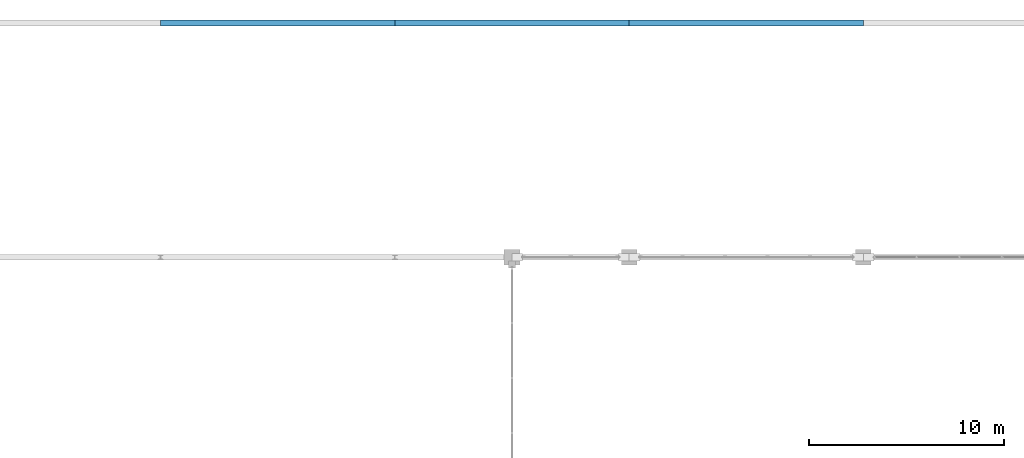
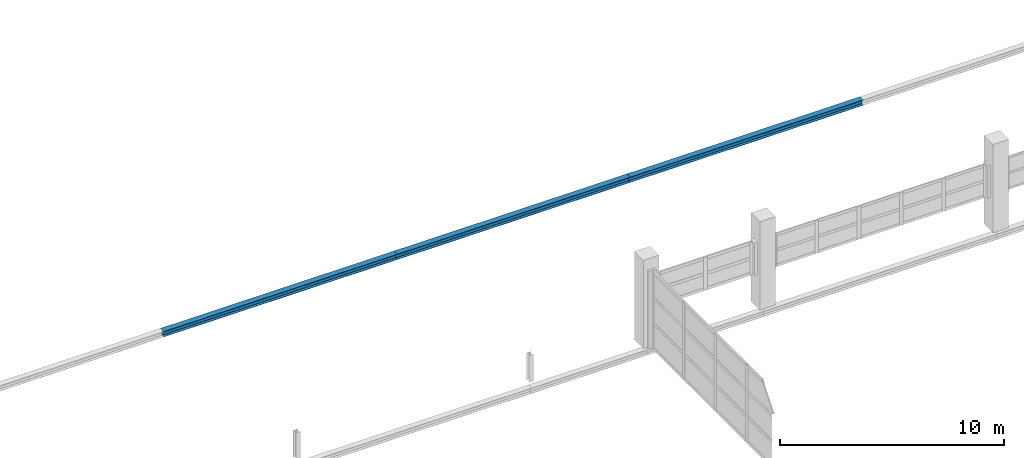
# One storey, part 52 of 86: 3 beams.
"""IFC4 building model written with IfcOpenShell, lengths in metres."""

import ifcopenshell
import ifcopenshell.guid

model = None  # the IFC model being written
_history = None  # IfcOwnerHistory: only IFC2X3 demands one
_inside = {}  # id of a spatial element -> (the spatial element, [elements in it])
_under = {}  # id of a project, library or spatial element -> (it, [spatial elements below it])
_declared = {}  # id of a project -> (the project, [libraries it declares])
_typed = {}  # id of a type object -> (the type object, [elements of that type])
_made_of = {}  # id of a material, layer set ... -> (it, [elements and type objects made of it])


def new_model(schema):
    """Start an empty IFC model of exactly this schema.

    Asked for "IFC4X3", IfcOpenShell would pick the latest addendum, in which some entities
    have other attributes; the version numbers below select the first issue.
    IFC2X3 requires an IfcOwnerHistory on every rooted entity: one is made here for all.
    """
    global model, _history
    if schema == "IFC4X3":
        model = ifcopenshell.file(schema_version=(4, 3, 0, 0))
    else:
        model = ifcopenshell.file(schema=schema)
    _inside.clear()
    _under.clear()
    _declared.clear()
    _typed.clear()
    _made_of.clear()
    _history = None
    if model.schema == "IFC2X3":
        org = make("IfcOrganization", Name="unknown")
        user = make(
            "IfcPersonAndOrganization",
            ThePerson=make("IfcPerson", FamilyName="unknown"),
            TheOrganization=org,
        )
        app = make(
            "IfcApplication",
            ApplicationDeveloper=org,
            Version="unknown",
            ApplicationFullName="unknown",
            ApplicationIdentifier="unknown",
        )
        _history = make(
            "IfcOwnerHistory",
            OwningUser=user,
            OwningApplication=app,
            ChangeAction="ADDED",
            CreationDate=0,
        )
    return model


def make(cls, **values):
    """One entity of the class cls with the attributes given. An attribute that is None is left unset."""
    return model.create_entity(
        cls, **{name: value for name, value in values.items() if value is not None}
    )


def rooted(cls, **values):
    """An entity with a GlobalId (a new one), such as an element, a storey or a relation."""
    return make(cls, GlobalId=ifcopenshell.guid.new(), OwnerHistory=_history, **values)


def si_unit(unit_type, name, prefix=None):
    """IfcSIUnit, for example si_unit("LENGTHUNIT", "METRE", prefix="MILLI")."""
    return make("IfcSIUnit", UnitType=unit_type, Prefix=prefix, Name=name)


def assignment(units):
    """IfcUnitAssignment: the units of a project."""
    return None if units is None else make("IfcUnitAssignment", Units=units)


def point(xyz):
    """IfcCartesianPoint."""
    return None if xyz is None else make("IfcCartesianPoint", Coordinates=xyz)


def direction(xyz):
    """IfcDirection."""
    return None if xyz is None else make("IfcDirection", DirectionRatios=xyz)


def frame(location, z_axis=None, x_axis=None):
    """IfcAxis2Placement3D, a coordinate frame: its origin and axes. An axis left out is left unset."""
    return make(
        "IfcAxis2Placement3D",
        Location=point(location),
        Axis=direction(z_axis),
        RefDirection=direction(x_axis),
    )


def frame_2d(location, x_axis=None):
    """IfcAxis2Placement2D, a coordinate frame in the plane: its origin and x axis."""
    return make(
        "IfcAxis2Placement2D", Location=point(location), RefDirection=direction(x_axis)
    )


def origin():
    """The frame at (0, 0, 0) with its axes left unset."""
    return frame((0.0, 0.0, 0.0))


def origin_2d():
    """The frame at (0, 0) in the plane with its x axis left unset."""
    return frame_2d((0.0, 0.0))


def place(relative_to, where):
    """IfcLocalPlacement: puts the frame where relative to a parent placement (None: the world)."""
    return make(
        "IfcLocalPlacement", PlacementRelTo=relative_to, RelativePlacement=where
    )


def context(
    kind, dimensions, precision=None, world=None, true_north=None, identifier=None
):
    """IfcGeometricRepresentationContext, for example the 3D "Model" context."""
    return make(
        "IfcGeometricRepresentationContext",
        ContextIdentifier=identifier,
        ContextType=kind,
        CoordinateSpaceDimension=dimensions,
        Precision=precision,
        WorldCoordinateSystem=world,
        TrueNorth=true_north,
    )


def subcontext(parent, identifier, kind, view, scale=None):
    """IfcGeometricRepresentationSubContext, for example "Body" below "Model"."""
    return make(
        "IfcGeometricRepresentationSubContext",
        ContextIdentifier=identifier,
        ContextType=kind,
        ParentContext=parent,
        TargetScale=scale,
        TargetView=view,
    )


def project(units=None, contexts=None):
    """IfcProject with its units and contexts."""
    return rooted(
        "IfcProject",
        Name="project",
        RepresentationContexts=contexts,
        UnitsInContext=assignment(units),
    )


def spatial(cls, under=None, at=None, **own):
    """A site, building, storey or space (cls), placed at a placement, below another one or the project."""
    s = rooted(cls, ObjectPlacement=at, **own)
    if under is not None:
        _under.setdefault(under.id(), (under, []))[1].append(s)
    return s


def profile(cls, at=None, kind="AREA", **sizes):
    """A parametric profile (cls). Its sizes go by their IFC names, for example OverallWidth=200.0."""
    return make(cls, ProfileType=kind, Position=at, **sizes)


def i_section(**sizes):
    """IfcIShapeProfileDef."""
    return profile("IfcIShapeProfileDef", **sizes)


def extrude(swept, where, along, depth):
    """IfcExtrudedAreaSolid: the profile swept, set in the frame where, extruded along a direction by depth."""
    return make(
        "IfcExtrudedAreaSolid",
        SweptArea=swept,
        Position=where,
        ExtrudedDirection=direction(along),
        Depth=depth,
    )


def shape(context_of_items, identifier, shape_type, items):
    """IfcShapeRepresentation: the items that make up one representation, for example the "Body"."""
    return make(
        "IfcShapeRepresentation",
        ContextOfItems=context_of_items,
        RepresentationIdentifier=identifier,
        RepresentationType=shape_type,
        Items=items,
    )


def material(Name=None, Category=None):
    """IfcMaterial."""
    return make("IfcMaterial", Name=Name, Category=Category)


def material_profile(
    of_material, cross_section, Name=None, Category=None, Priority=None
):
    """IfcMaterialProfile: a cross section and its material."""
    return make(
        "IfcMaterialProfile",
        Name=Name,
        Material=of_material,
        Profile=cross_section,
        Priority=Priority,
        Category=Category,
    )


def profile_set(profiles, Name=None, composite=None):
    """IfcMaterialProfileSet."""
    return make(
        "IfcMaterialProfileSet",
        Name=Name,
        MaterialProfiles=profiles,
        CompositeProfile=composite,
    )


def made_of(thing, what):
    """Note that an element or type object is made of a material, layer set ...; save() writes the relation."""
    if what is not None:
        _made_of.setdefault(what.id(), (what, []))[1].append(thing)
    return thing


def type_object(cls, material=None, **own):
    """A type object (cls), such as IfcWallType, which elements share."""
    return made_of(rooted(cls, **own), material)


def element(
    cls,
    number,
    at=None,
    inside=None,
    cuts=None,
    type_object=None,
    material=None,
    context=None,
    identifier="Body",
    shape_type=None,
    held_by="IfcProductDefinitionShape",
    body=None,
    shapes=None,
    **own,
):
    """One element of the class cls, such as IfcWall. Its Tag is "e" and its number.

    at: its placement. inside: the storey or other place that contains it. cuts: it is an
    opening in that element (IfcRelVoidsElement). A single representation is given by context,
    identifier, shape_type and body (its items); several are given by shapes. held_by: the class
    of the entity that holds the representations. save() writes the other relations.
    """
    e = rooted(cls, Tag="e%d" % number, ObjectPlacement=at, **own)
    if body is not None:
        shapes = [shape(context, identifier, shape_type, body)]
    if shapes is not None:
        e.Representation = make(held_by, Representations=shapes)
    if inside is not None:
        _inside.setdefault(inside.id(), (inside, []))[1].append(e)
    if cuts is not None:
        rooted(
            "IfcRelVoidsElement", RelatingBuildingElement=cuts, RelatedOpeningElement=e
        )
    if type_object is not None:
        _typed.setdefault(type_object.id(), (type_object, []))[1].append(e)
    return made_of(e, material)


def aggregate(whole, parts):
    """IfcRelAggregates: a whole, such as a stair, and the parts it consists of."""
    return rooted("IfcRelAggregates", RelatingObject=whole, RelatedObjects=parts)


def save(model, path):
    """Write the relations noted so far, then the file.

    IfcRelAggregates (storeys below a building ...), IfcRelContainedInSpatialStructure (elements
    in a storey), IfcRelDefinesByType, IfcRelAssociatesMaterial and IfcRelDeclares: one each for
    every whole, place, type object, material and project.
    """
    for whole, parts in _under.values():
        aggregate(whole, parts)
    for where, things in _inside.values():
        rooted(
            "IfcRelContainedInSpatialStructure",
            RelatedElements=things,
            RelatingStructure=where,
        )
    for kind, things in _typed.values():
        rooted("IfcRelDefinesByType", RelatedObjects=things, RelatingType=kind)
    for what, things in _made_of.values():
        rooted("IfcRelAssociatesMaterial", RelatedObjects=things, RelatingMaterial=what)
    for by, libraries in _declared.values():
        rooted("IfcRelDeclares", RelatingContext=by, RelatedDefinitions=libraries)
    model.write(path)


model = new_model("IFC4")

# Units and contexts
model_context = context("Model", 3, precision=1e-05, world=origin(), true_north=direction((0.0, 1.0)))
body_context = subcontext(model_context, "Body", "Model", "MODEL_VIEW")
ifc_project = project(units=[si_unit("LENGTHUNIT", "METRE"), si_unit("AREAUNIT", "SQUARE_METRE"), si_unit("VOLUMEUNIT", "CUBIC_METRE"), si_unit("PLANEANGLEUNIT", "RADIAN"), si_unit("MASSUNIT", "GRAM", prefix="KILO")], contexts=[model_context])

# Site, building, storey
site_placement = place(None, origin())
site = spatial("IfcSite", under=ifc_project, at=site_placement, CompositionType="ELEMENT")
building_placement = place(site_placement, origin())
building = spatial("IfcBuilding", under=site, at=building_placement, Name="Zilviju Railside Exhibition Hall", CompositionType="ELEMENT")
storey_placement = place(building_placement, frame((0.0, 0.0, 12.60009765625)))
storey = spatial("IfcBuildingStorey", under=building, at=storey_placement, Name="L04", CompositionType="ELEMENT", Elevation=12.60009765625)

# Beams
ifc_material = material(Name="Steel S355J2", Category="steel")
ifc_material_profile = material_profile(ifc_material, i_section(OverallWidth=0.300048828125, OverallDepth=0.2900390625, WebThickness=0.008544921875, FlangeThickness=0.013916015625, at=origin_2d()), Name="HEA 300")
ifc_profile_set = profile_set([ifc_material_profile], Name="Steel S355J2")
beam_type = type_object("IfcBeamType", Name="BM-HEA300", PredefinedType="SPANDREL", material=ifc_profile_set)
for number, where, z_axis, x_axis, name in (
    (1, (60.0, 150.0, -0.485107421875), (1.0, 0.0, 0.0), (0.0, 1.0, 0.0), "Primary Girder L04 Y=150.0 (60.0..72.0)"),
    (2, (72.0, 150.0, -0.485107421875), (1.0, 0.0, 0.0), (0.0, 1.0, 0.0), "Primary Girder L04 Y=150.0 (72.0..84.0)"),
    (3, (84.0, 150.0, -0.485107421875), (1.0, 0.0, 0.0), (0.0, 1.0, 0.0), "Primary Girder L04 Y=150.0 (84.0..96.0)"),
):
    element("IfcBeam", number, at=place(storey_placement, frame(where, z_axis=z_axis, x_axis=x_axis)), inside=storey, type_object=beam_type, Name=name, PredefinedType="SPANDREL", context=body_context, shape_type="SweptSolid", body=[
        extrude(i_section(OverallWidth=0.300048828125, OverallDepth=0.2900390625, WebThickness=0.008544921875, FlangeThickness=0.013916015625, at=origin_2d()), origin(), (0.0, 0.0, 1.0), 12.0),
    ])

save(model, "model.ifc")
